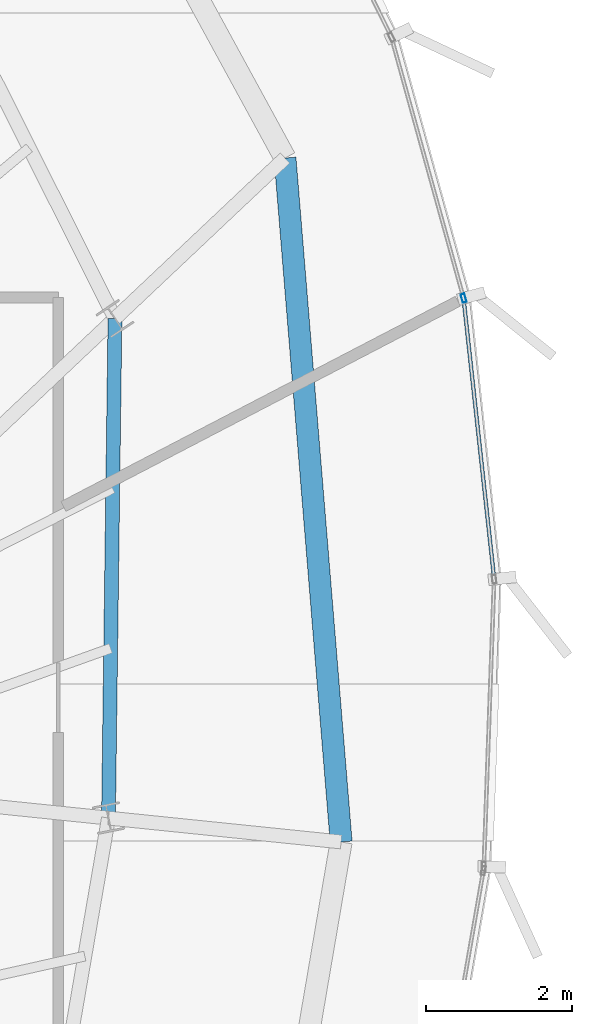
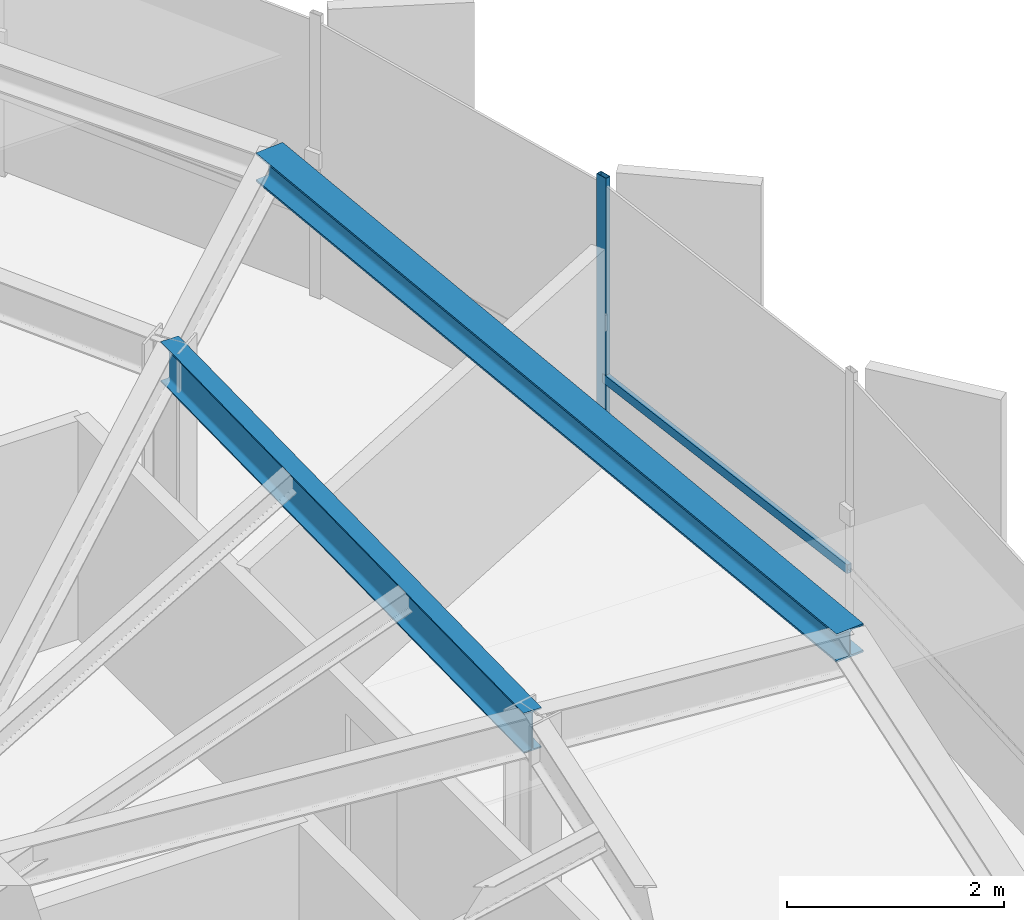
# One storey, part 16 of 31: 2 beams, 2 members, 1 element without a shape of its own.
"""IFC4 building model written with IfcOpenShell, lengths in metres."""

from ifc_helpers import new_model, si_unit, direction, frame, origin, origin_2d, place, context, subcontext, project, spatial, hollow_rectangle, i_section, extrude, source, transform, mapped, material, layer, layer_set, material_profile, profile_set, type_object, element, aggregate, save


model = new_model("IFC4")

# Units and contexts
model_context = context("Model", 3, precision=1e-05, world=origin(), true_north=direction((0.0, 1.0)))
body_context = subcontext(model_context, "Body", "Model", "MODEL_VIEW")
ifc_project = project(units=[si_unit("LENGTHUNIT", "METRE"), si_unit("AREAUNIT", "SQUARE_METRE"), si_unit("VOLUMEUNIT", "CUBIC_METRE"), si_unit("PLANEANGLEUNIT", "RADIAN"), si_unit("MASSUNIT", "GRAM", prefix="KILO"), si_unit("THERMODYNAMICTEMPERATUREUNIT", "KELVIN")], contexts=[model_context])

# Site, building, storey
site_placement = place(None, origin())
site = spatial("IfcSite", under=ifc_project, at=site_placement, CompositionType="ELEMENT")
building_placement = place(site_placement, origin())
building = spatial("IfcBuilding", under=site, at=building_placement, Name="Kethvar Cultural Tower", CompositionType="ELEMENT")
storey_placement = place(building_placement, frame((0.0, 0.0, 276.699951171875)))
storey = spatial("IfcBuildingStorey", under=building, at=storey_placement, Name="L73", CompositionType="ELEMENT", Elevation=276.699951171875)

# Beams
ifc_material_1 = material(Name="Steel S355J2", Category="steel")
ifc_material_profile_1 = material_profile(ifc_material_1, i_section(OverallWidth=0.18994140625, OverallDepth=0.449951171875, WebThickness=0.009521484375, FlangeThickness=0.0146484375, FilletRadius=0.02099609375, at=origin_2d()), Name="Steel S355J2 — IPE450")
ifc_profile_set_1 = profile_set([ifc_material_profile_1], Name="Steel S355J2 — IPE450")
beam_type_1 = type_object("IfcBeamType", Name="BM-IPE450", PredefinedType="BEAM", material=ifc_profile_set_1)
shared_shape_1 = source(origin(), body_context, "Body", "SweptSolid", [
    extrude(i_section(OverallWidth=0.18994140625, OverallDepth=0.449951171875, WebThickness=0.009521484375, FlangeThickness=0.0146484375, FilletRadius=0.02099609375, at=origin_2d()), origin(), (0.0, 0.0, 1.0), 6.834716796875),
])
beam_1_placement = place(storey_placement, frame((61.237060546875, 30.671630859375, 2.983154296875), z_axis=(0.012966437445, 0.999915932216, 0.0), x_axis=(-0.999915932216, 0.012966437445, 0.0)))
element("IfcBeam", 1, at=beam_1_placement, inside=storey, type_object=beam_type_1, Name="L73 Column Ring Tie Beam CR-01", PredefinedType="BEAM", context=body_context, shape_type="MappedRepresentation", body=[
    mapped(shared_shape_1, transform((0.0, 0.0, 0.0), scale=1.0)),
])
ifc_material_profile_2 = material_profile(ifc_material_1, i_section(OverallWidth=0.300048828125, OverallDepth=0.320068359375, WebThickness=0.011474609375, FlangeThickness=0.0205078125, FilletRadius=0.027099609375, at=origin_2d()), Name="Steel S355J2 — HEB320")
ifc_profile_set_2 = profile_set([ifc_material_profile_2], Name="Steel S355J2 — HEB320")
beam_type_2 = type_object("IfcBeamType", Name="BM-SP320", PredefinedType="SPANDREL", material=ifc_profile_set_2)
shared_shape_2 = source(origin(), body_context, "Body", "SweptSolid", [
    extrude(i_section(OverallWidth=0.300048828125, OverallDepth=0.320068359375, WebThickness=0.011474609375, FlangeThickness=0.0205078125, FilletRadius=0.027099609375, at=origin_2d()), origin(), (0.0, 0.0, 1.0), 9.388916015625),
])
beam_2_placement = place(storey_placement, frame((64.42041015625, 30.34521484375, 3.048095703125), z_axis=(-0.08178004371, 0.996650402323, 0.0), x_axis=(-0.996650402323, -0.08178004371, 0.0)))
element("IfcBeam", 2, at=beam_2_placement, inside=storey, type_object=beam_type_2, Name="L73 Perimeter Spandrel Beam SP-01", PredefinedType="SPANDREL", context=body_context, shape_type="MappedRepresentation", body=[
    mapped(shared_shape_2, transform((0.0, 0.0, 0.0), scale=1.0)),
])

# Curtain wall, members
ifc_material_2 = material(Name="Aluminium 6063-T6", Category="aluminium")
ifc_layer = layer(ifc_material_2, 0.179931640625, Name="Aluminium 6063-T6", Category="aluminium")
ifc_layer_set = layer_set([ifc_layer], Name="Aluminium 6063-T6 (180 mm)")
curtain_wall_type = type_object("IfcCurtainWallType", Name="CW-SYS-05-Z56", PredefinedType="NOTDEFINED", material=ifc_layer_set)
curtain_wall_placement = place(storey_placement, origin())
curtain_wall = element("IfcCurtainWall", 3, at=curtain_wall_placement, inside=storey, type_object=curtain_wall_type, Name="L73 Curtain Wall Run 06", PredefinedType="NOTDEFINED")
ifc_material_profile_3 = material_profile(ifc_material_2, hollow_rectangle(XDim=0.054931640625, YDim=0.1201171875, WallThickness=0.00390625, at=origin_2d()), Name="Aluminium 6063-T6 — RHS120x55x4")
ifc_profile_set_3 = profile_set([ifc_material_profile_3], Name="Aluminium 6063-T6 — RHS120x55x4")
member_type_1 = type_object("IfcMemberType", Name="CW-SYS-05-Z56-MUL", PredefinedType="MULLION", material=ifc_profile_set_3)
shared_shape_3 = source(origin(), body_context, "Body", "SweptSolid", [
    extrude(hollow_rectangle(XDim=0.054931640625, YDim=0.1201171875, WallThickness=0.00390625, at=origin_2d()), origin(), (0.0, 0.0, 1.0), 3.2099609375),
])
member_1_placement = place(storey_placement, frame((66.096435546875, 37.784912109375, 0.0), z_axis=(0.0, 0.0, 1.0), x_axis=(-0.963728336462, -0.266885169128, 0.0)))
member_1 = element("IfcMember", 4, at=member_1_placement, type_object=member_type_1, Name="CW-L73-R06 Mullion 3", PredefinedType="MULLION", context=body_context, shape_type="MappedRepresentation", body=[
    mapped(shared_shape_3, transform((0.0, 0.0, 0.0), scale=1.0)),
])
ifc_material_profile_4 = material_profile(ifc_material_2, hollow_rectangle(XDim=0.050048828125, YDim=0.10009765625, WallThickness=0.00390625, at=origin_2d()), Name="Aluminium 6063-T6 — RHS100x50x4")
ifc_profile_set_4 = profile_set([ifc_material_profile_4], Name="Aluminium 6063-T6 — RHS100x50x4")
member_type_2 = type_object("IfcMemberType", Name="CW-SYS-05-Z56-TRN", PredefinedType="USERDEFINED", material=ifc_profile_set_4)
shared_shape_4 = source(origin(), body_context, "Body", "SweptSolid", [
    extrude(hollow_rectangle(XDim=0.050048828125, YDim=0.10009765625, WallThickness=0.00390625, at=origin_2d()), origin(), (0.0, 0.0, 1.0), 3.804443359375),
])
member_2_placement = place(storey_placement, frame((66.510498046875, 33.9794921875, 0.949951171875), z_axis=(-0.108515539801, 0.994094752839, 0.0), x_axis=(-0.994094752839, -0.108515539801, 0.0)))
member_2 = element("IfcMember", 5, at=member_2_placement, type_object=member_type_2, Name="CW-L73-R06 Transom 2", ObjectType="TRANSOM", PredefinedType="USERDEFINED", context=body_context, shape_type="MappedRepresentation", body=[
    mapped(shared_shape_4, transform((0.0, 0.0, 0.0), scale=1.0)),
])
aggregate(curtain_wall, [member_1, member_2])

save(model, "model.ifc")
